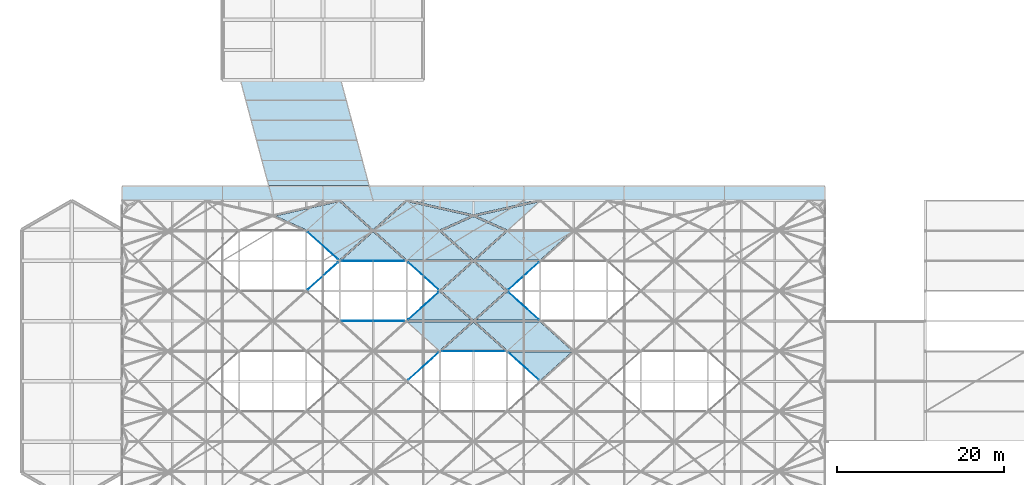
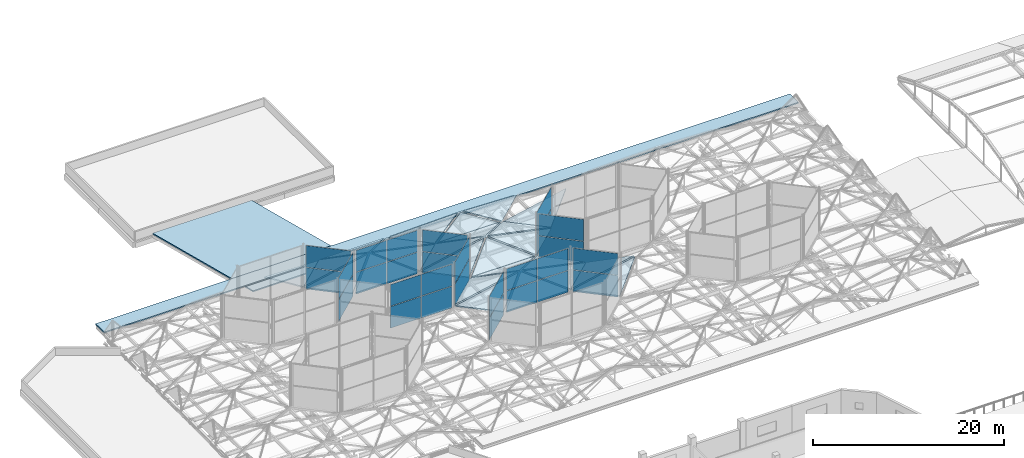
# One storey, part 214 of 239: 28 plates, 28 slabs, 11 elements without a shape of their own.
"""IFC4 building model written with IfcOpenShell, lengths in metres."""

import ifcopenshell
import ifcopenshell.guid

model = None  # the IFC model being written
_history = None  # IfcOwnerHistory: only IFC2X3 demands one
_inside = {}  # id of a spatial element -> (the spatial element, [elements in it])
_under = {}  # id of a project, library or spatial element -> (it, [spatial elements below it])
_declared = {}  # id of a project -> (the project, [libraries it declares])
_typed = {}  # id of a type object -> (the type object, [elements of that type])
_made_of = {}  # id of a material, layer set ... -> (it, [elements and type objects made of it])


def new_model(schema):
    """Start an empty IFC model of exactly this schema.

    Asked for "IFC4X3", IfcOpenShell would pick the latest addendum, in which some entities
    have other attributes; the version numbers below select the first issue.
    IFC2X3 requires an IfcOwnerHistory on every rooted entity: one is made here for all.
    """
    global model, _history
    if schema == "IFC4X3":
        model = ifcopenshell.file(schema_version=(4, 3, 0, 0))
    else:
        model = ifcopenshell.file(schema=schema)
    _inside.clear()
    _under.clear()
    _declared.clear()
    _typed.clear()
    _made_of.clear()
    _history = None
    if model.schema == "IFC2X3":
        org = make("IfcOrganization", Name="unknown")
        user = make(
            "IfcPersonAndOrganization",
            ThePerson=make("IfcPerson", FamilyName="unknown"),
            TheOrganization=org,
        )
        app = make(
            "IfcApplication",
            ApplicationDeveloper=org,
            Version="unknown",
            ApplicationFullName="unknown",
            ApplicationIdentifier="unknown",
        )
        _history = make(
            "IfcOwnerHistory",
            OwningUser=user,
            OwningApplication=app,
            ChangeAction="ADDED",
            CreationDate=0,
        )
    return model


def make(cls, **values):
    """One entity of the class cls with the attributes given. An attribute that is None is left unset."""
    return model.create_entity(
        cls, **{name: value for name, value in values.items() if value is not None}
    )


def rooted(cls, **values):
    """An entity with a GlobalId (a new one), such as an element, a storey or a relation."""
    return make(cls, GlobalId=ifcopenshell.guid.new(), OwnerHistory=_history, **values)


def si_unit(unit_type, name, prefix=None):
    """IfcSIUnit, for example si_unit("LENGTHUNIT", "METRE", prefix="MILLI")."""
    return make("IfcSIUnit", UnitType=unit_type, Prefix=prefix, Name=name)


def assignment(units):
    """IfcUnitAssignment: the units of a project."""
    return None if units is None else make("IfcUnitAssignment", Units=units)


def point(xyz):
    """IfcCartesianPoint."""
    return None if xyz is None else make("IfcCartesianPoint", Coordinates=xyz)


def direction(xyz):
    """IfcDirection."""
    return None if xyz is None else make("IfcDirection", DirectionRatios=xyz)


def frame(location, z_axis=None, x_axis=None):
    """IfcAxis2Placement3D, a coordinate frame: its origin and axes. An axis left out is left unset."""
    return make(
        "IfcAxis2Placement3D",
        Location=point(location),
        Axis=direction(z_axis),
        RefDirection=direction(x_axis),
    )


def frame_2d(location, x_axis=None):
    """IfcAxis2Placement2D, a coordinate frame in the plane: its origin and x axis."""
    return make(
        "IfcAxis2Placement2D", Location=point(location), RefDirection=direction(x_axis)
    )


def origin():
    """The frame at (0, 0, 0) with its axes left unset."""
    return frame((0.0, 0.0, 0.0))


def origin_2d():
    """The frame at (0, 0) in the plane with its x axis left unset."""
    return frame_2d((0.0, 0.0))


def place(relative_to, where):
    """IfcLocalPlacement: puts the frame where relative to a parent placement (None: the world)."""
    return make(
        "IfcLocalPlacement", PlacementRelTo=relative_to, RelativePlacement=where
    )


def context(
    kind, dimensions, precision=None, world=None, true_north=None, identifier=None
):
    """IfcGeometricRepresentationContext, for example the 3D "Model" context."""
    return make(
        "IfcGeometricRepresentationContext",
        ContextIdentifier=identifier,
        ContextType=kind,
        CoordinateSpaceDimension=dimensions,
        Precision=precision,
        WorldCoordinateSystem=world,
        TrueNorth=true_north,
    )


def subcontext(parent, identifier, kind, view, scale=None):
    """IfcGeometricRepresentationSubContext, for example "Body" below "Model"."""
    return make(
        "IfcGeometricRepresentationSubContext",
        ContextIdentifier=identifier,
        ContextType=kind,
        ParentContext=parent,
        TargetScale=scale,
        TargetView=view,
    )


def project(units=None, contexts=None):
    """IfcProject with its units and contexts."""
    return rooted(
        "IfcProject",
        Name="project",
        RepresentationContexts=contexts,
        UnitsInContext=assignment(units),
    )


def spatial(cls, under=None, at=None, **own):
    """A site, building, storey or space (cls), placed at a placement, below another one or the project."""
    s = rooted(cls, ObjectPlacement=at, **own)
    if under is not None:
        _under.setdefault(under.id(), (under, []))[1].append(s)
    return s


def polyline(points):
    """IfcPolyline through the points."""
    return make("IfcPolyline", Points=[point(p) for p in points])


def profile(cls, at=None, kind="AREA", **sizes):
    """A parametric profile (cls). Its sizes go by their IFC names, for example OverallWidth=200.0."""
    return make(cls, ProfileType=kind, Position=at, **sizes)


def rectangle(**sizes):
    """IfcRectangleProfileDef."""
    return profile("IfcRectangleProfileDef", **sizes)


def outline(outer, holes=None, kind="AREA"):
    """IfcArbitraryClosedProfileDef: a profile drawn as a closed curve; with holes, ...WithVoids."""
    if holes is None:
        return make("IfcArbitraryClosedProfileDef", ProfileType=kind, OuterCurve=outer)
    return make(
        "IfcArbitraryProfileDefWithVoids",
        ProfileType=kind,
        OuterCurve=outer,
        InnerCurves=holes,
    )


def extrude(swept, where, along, depth):
    """IfcExtrudedAreaSolid: the profile swept, set in the frame where, extruded along a direction by depth."""
    return make(
        "IfcExtrudedAreaSolid",
        SweptArea=swept,
        Position=where,
        ExtrudedDirection=direction(along),
        Depth=depth,
    )


def shape(context_of_items, identifier, shape_type, items):
    """IfcShapeRepresentation: the items that make up one representation, for example the "Body"."""
    return make(
        "IfcShapeRepresentation",
        ContextOfItems=context_of_items,
        RepresentationIdentifier=identifier,
        RepresentationType=shape_type,
        Items=items,
    )


def material(Name=None, Category=None):
    """IfcMaterial."""
    return make("IfcMaterial", Name=Name, Category=Category)


def layer(
    of_material, thickness, ventilated=None, Name=None, Category=None, Priority=None
):
    """IfcMaterialLayer: one layer of a wall or slab, of a material (None: an air gap)."""
    return make(
        "IfcMaterialLayer",
        Material=of_material,
        LayerThickness=thickness,
        IsVentilated=ventilated,
        Name=Name,
        Category=Category,
        Priority=Priority,
    )


def layer_set(layers, Name=None):
    """IfcMaterialLayerSet."""
    return make("IfcMaterialLayerSet", MaterialLayers=layers, LayerSetName=Name)


def made_of(thing, what):
    """Note that an element or type object is made of a material, layer set ...; save() writes the relation."""
    if what is not None:
        _made_of.setdefault(what.id(), (what, []))[1].append(thing)
    return thing


def type_object(cls, material=None, **own):
    """A type object (cls), such as IfcWallType, which elements share."""
    return made_of(rooted(cls, **own), material)


def element(
    cls,
    number,
    at=None,
    inside=None,
    cuts=None,
    type_object=None,
    material=None,
    context=None,
    identifier="Body",
    shape_type=None,
    held_by="IfcProductDefinitionShape",
    body=None,
    shapes=None,
    **own,
):
    """One element of the class cls, such as IfcWall. Its Tag is "e" and its number.

    at: its placement. inside: the storey or other place that contains it. cuts: it is an
    opening in that element (IfcRelVoidsElement). A single representation is given by context,
    identifier, shape_type and body (its items); several are given by shapes. held_by: the class
    of the entity that holds the representations. save() writes the other relations.
    """
    e = rooted(cls, Tag="e%d" % number, ObjectPlacement=at, **own)
    if body is not None:
        shapes = [shape(context, identifier, shape_type, body)]
    if shapes is not None:
        e.Representation = make(held_by, Representations=shapes)
    if inside is not None:
        _inside.setdefault(inside.id(), (inside, []))[1].append(e)
    if cuts is not None:
        rooted(
            "IfcRelVoidsElement", RelatingBuildingElement=cuts, RelatedOpeningElement=e
        )
    if type_object is not None:
        _typed.setdefault(type_object.id(), (type_object, []))[1].append(e)
    return made_of(e, material)


def aggregate(whole, parts):
    """IfcRelAggregates: a whole, such as a stair, and the parts it consists of."""
    return rooted("IfcRelAggregates", RelatingObject=whole, RelatedObjects=parts)


def save(model, path):
    """Write the relations noted so far, then the file.

    IfcRelAggregates (storeys below a building ...), IfcRelContainedInSpatialStructure (elements
    in a storey), IfcRelDefinesByType, IfcRelAssociatesMaterial and IfcRelDeclares: one each for
    every whole, place, type object, material and project.
    """
    for whole, parts in _under.values():
        aggregate(whole, parts)
    for where, things in _inside.values():
        rooted(
            "IfcRelContainedInSpatialStructure",
            RelatedElements=things,
            RelatingStructure=where,
        )
    for kind, things in _typed.values():
        rooted("IfcRelDefinesByType", RelatedObjects=things, RelatingType=kind)
    for what, things in _made_of.values():
        rooted("IfcRelAssociatesMaterial", RelatedObjects=things, RelatingMaterial=what)
    for by, libraries in _declared.values():
        rooted("IfcRelDeclares", RelatingContext=by, RelatedDefinitions=libraries)
    model.write(path)


model = new_model("IFC4")

# Units and contexts
model_context = context("Model", 3, precision=1e-05, world=origin(), true_north=direction((0.0, 1.0)))
body_context = subcontext(model_context, "Body", "Model", "MODEL_VIEW")
ifc_project = project(units=[si_unit("LENGTHUNIT", "METRE"), si_unit("AREAUNIT", "SQUARE_METRE"), si_unit("VOLUMEUNIT", "CUBIC_METRE"), si_unit("PLANEANGLEUNIT", "RADIAN"), si_unit("MASSUNIT", "GRAM", prefix="KILO")], contexts=[model_context])

# Site, building, storey
site_placement = place(None, origin())
site = spatial("IfcSite", under=ifc_project, at=site_placement, CompositionType="ELEMENT")
building_placement = place(site_placement, origin())
building = spatial("IfcBuilding", under=site, at=building_placement, Name="Dunvalen Ferry Terminal", CompositionType="ELEMENT")
storey_placement = place(building_placement, frame((0.0, 0.0, 9.840087890625)))
storey = spatial("IfcBuildingStorey", under=building, at=storey_placement, Name="L02", CompositionType="ELEMENT", Elevation=9.840087890625)

# Curtain wall, plates
ifc_material_1 = material(Name="Anodised marine aluminium and solar-control glazing", Category="aluminium")
ifc_layer_1 = layer(ifc_material_1, 0.179931640625, Name="Anodised marine aluminium and solar-control glazing")
ifc_layer_set_1 = layer_set([ifc_layer_1], Name="Anodised marine aluminium and solar-control glazing")
curtain_wall_type_1 = type_object("IfcCurtainWallType", Name="ENV-CW-SYS-05", PredefinedType="NOTDEFINED", material=ifc_layer_set_1)
curtain_wall_1_placement = place(storey_placement, origin())
curtain_wall_1 = element("IfcCurtainWall", 1, at=curtain_wall_1_placement, inside=storey, type_object=curtain_wall_type_1, Name="L02 Curtain Wall CW-HEX-16-SK-3", PredefinedType="NOTDEFINED")
ifc_material_2 = material(Name="Low-E solar-control laminated double glazing", Category="glass")
ifc_layer_2 = layer(ifc_material_2, 0.0400390625, Name="Low-E solar-control laminated double glazing")
ifc_layer_set_2 = layer_set([ifc_layer_2], Name="Low-E solar-control laminated double glazing")
plate_type = type_object("IfcPlateType", Name="ENV-CW-PNL-4", PredefinedType="CURTAIN_PANEL", material=ifc_layer_set_2)
plate_1_placement = place(storey_placement, frame((36.0, 77.39990234375, 1.19970703125), z_axis=(0.0, 0.0, 1.0), x_axis=(0.74330420875, 0.668953550894, 0.0)))
plate_1 = element("IfcPlate", 2, at=plate_1_placement, type_object=plate_type, Name="CW-05 panel 1.1", PredefinedType="CURTAIN_PANEL", context=body_context, shape_type="SweptSolid", body=[
    extrude(rectangle(XDim=4.821533203125, YDim=0.0400390625, at=origin_2d()), origin(), (0.0, 0.0, 1.0), 2.760009765625),
])
plate_2_placement = place(storey_placement, frame((36.0, 77.39990234375, 4.02001953125), z_axis=(0.0, 0.0, 1.0), x_axis=(0.74330420875, 0.668953550894, 0.0)))
plate_2 = element("IfcPlate", 3, at=plate_2_placement, type_object=plate_type, Name="CW-05 panel 1.2", PredefinedType="CURTAIN_PANEL", context=body_context, shape_type="SweptSolid", body=[
    extrude(rectangle(XDim=4.821533203125, YDim=0.0400390625, at=origin_2d()), origin(), (0.0, 0.0, 1.0), 2.760009765625),
])
aggregate(curtain_wall_1, [plate_1, plate_2])

ifc_layer_3 = layer(ifc_material_1, 0.179931640625, Name="Anodised marine aluminium and solar-control glazing")
ifc_layer_set_3 = layer_set([ifc_layer_3], Name="Anodised marine aluminium and solar-control glazing")
curtain_wall_type_2 = type_object("IfcCurtainWallType", Name="ENV-CW-SYS-06", PredefinedType="NOTDEFINED", material=ifc_layer_set_3)
curtain_wall_2_placement = place(storey_placement, origin())
curtain_wall_2 = element("IfcCurtainWall", 4, at=curtain_wall_2_placement, inside=storey, type_object=curtain_wall_type_2, Name="L02 Curtain Wall CW-HEX-16-SK-4", PredefinedType="NOTDEFINED")
plate_3_placement = place(storey_placement, frame((36.0, 81.0, 1.19970703125), z_axis=(0.0, 0.0, 1.0), x_axis=(-0.74330420875, 0.668953550894, 0.0)))
plate_3 = element("IfcPlate", 5, at=plate_3_placement, type_object=plate_type, Name="CW-06 panel 1.1", PredefinedType="CURTAIN_PANEL", context=body_context, shape_type="SweptSolid", body=[
    extrude(rectangle(XDim=4.821533203125, YDim=0.0400390625, at=origin_2d()), origin(), (0.0, 0.0, 1.0), 2.760009765625),
])
plate_4_placement = place(storey_placement, frame((36.0, 81.0, 4.02001953125), z_axis=(0.0, 0.0, 1.0), x_axis=(-0.74330420875, 0.668953550894, 0.0)))
plate_4 = element("IfcPlate", 6, at=plate_4_placement, type_object=plate_type, Name="CW-06 panel 1.2", PredefinedType="CURTAIN_PANEL", context=body_context, shape_type="SweptSolid", body=[
    extrude(rectangle(XDim=4.821533203125, YDim=0.0400390625, at=origin_2d()), origin(), (0.0, 0.0, 1.0), 2.760009765625),
])
aggregate(curtain_wall_2, [plate_3, plate_4])

curtain_wall_3_placement = place(storey_placement, origin())
curtain_wall_3 = element("IfcCurtainWall", 7, at=curtain_wall_3_placement, inside=storey, type_object=curtain_wall_type_2, Name="L02 Curtain Wall CW-HEX-21-SK-2", PredefinedType="NOTDEFINED")
plate_5_placement = place(storey_placement, frame((40.125, 72.0, 1.19970703125), z_axis=(0.0, 0.0, 1.0), x_axis=(1.0, 0.0, 0.0)))
plate_5 = element("IfcPlate", 8, at=plate_5_placement, type_object=plate_type, Name="CW-06 panel 1.1", PredefinedType="CURTAIN_PANEL", context=body_context, shape_type="SweptSolid", body=[
    extrude(rectangle(XDim=3.68994140625, YDim=0.0400390625, at=origin_2d()), origin(), (0.0, 0.0, 1.0), 2.760009765625),
])
plate_6_placement = place(storey_placement, frame((40.125, 72.0, 4.02001953125), z_axis=(0.0, 0.0, 1.0), x_axis=(1.0, 0.0, 0.0)))
plate_6 = element("IfcPlate", 9, at=plate_6_placement, type_object=plate_type, Name="CW-06 panel 1.2", PredefinedType="CURTAIN_PANEL", context=body_context, shape_type="SweptSolid", body=[
    extrude(rectangle(XDim=3.68994140625, YDim=0.0400390625, at=origin_2d()), origin(), (0.0, 0.0, 1.0), 2.760009765625),
])
plate_7_placement = place(storey_placement, frame((43.875, 72.0, 1.19970703125), z_axis=(0.0, 0.0, 1.0), x_axis=(1.0, 0.0, 0.0)))
plate_7 = element("IfcPlate", 10, at=plate_7_placement, type_object=plate_type, Name="CW-06 panel 2.1", PredefinedType="CURTAIN_PANEL", context=body_context, shape_type="SweptSolid", body=[
    extrude(rectangle(XDim=3.68994140625, YDim=0.0400390625, at=origin_2d()), origin(), (0.0, 0.0, 1.0), 2.760009765625),
])
plate_8_placement = place(storey_placement, frame((43.875, 72.0, 4.02001953125), z_axis=(0.0, 0.0, 1.0), x_axis=(1.0, 0.0, 0.0)))
plate_8 = element("IfcPlate", 11, at=plate_8_placement, type_object=plate_type, Name="CW-06 panel 2.2", PredefinedType="CURTAIN_PANEL", context=body_context, shape_type="SweptSolid", body=[
    extrude(rectangle(XDim=3.68994140625, YDim=0.0400390625, at=origin_2d()), origin(), (0.0, 0.0, 1.0), 2.760009765625),
])
aggregate(curtain_wall_3, [plate_5, plate_6, plate_7, plate_8])

curtain_wall_4_placement = place(storey_placement, origin())
curtain_wall_4 = element("IfcCurtainWall", 12, at=curtain_wall_4_placement, inside=storey, type_object=curtain_wall_type_1, Name="L02 Curtain Wall CW-HEX-21-SK-3", PredefinedType="NOTDEFINED")
plate_9_placement = place(storey_placement, frame((48.0, 73.800048828125, 1.19970703125), z_axis=(0.0, 0.0, 1.0), x_axis=(0.74330420875, 0.668953550894, 0.0)))
plate_9 = element("IfcPlate", 13, at=plate_9_placement, type_object=plate_type, Name="CW-05 panel 1.1", PredefinedType="CURTAIN_PANEL", context=body_context, shape_type="SweptSolid", body=[
    extrude(rectangle(XDim=4.821533203125, YDim=0.0400390625, at=origin_2d()), origin(), (0.0, 0.0, 1.0), 2.760009765625),
])
plate_10_placement = place(storey_placement, frame((48.0, 73.800048828125, 4.02001953125), z_axis=(0.0, 0.0, 1.0), x_axis=(0.74330420875, 0.668953550894, 0.0)))
plate_10 = element("IfcPlate", 14, at=plate_10_placement, type_object=plate_type, Name="CW-05 panel 1.2", PredefinedType="CURTAIN_PANEL", context=body_context, shape_type="SweptSolid", body=[
    extrude(rectangle(XDim=4.821533203125, YDim=0.0400390625, at=origin_2d()), origin(), (0.0, 0.0, 1.0), 2.760009765625),
])
aggregate(curtain_wall_4, [plate_9, plate_10])

curtain_wall_5_placement = place(storey_placement, origin())
curtain_wall_5 = element("IfcCurtainWall", 15, at=curtain_wall_5_placement, inside=storey, type_object=curtain_wall_type_2, Name="L02 Curtain Wall CW-HEX-21-SK-4", PredefinedType="NOTDEFINED")
plate_11_placement = place(storey_placement, frame((48.0, 77.39990234375, 1.19970703125), z_axis=(0.0, 0.0, 1.0), x_axis=(-0.74330420875, 0.668953550894, 0.0)))
plate_11 = element("IfcPlate", 16, at=plate_11_placement, type_object=plate_type, Name="CW-06 panel 1.1", PredefinedType="CURTAIN_PANEL", context=body_context, shape_type="SweptSolid", body=[
    extrude(rectangle(XDim=4.821533203125, YDim=0.0400390625, at=origin_2d()), origin(), (0.0, 0.0, 1.0), 2.760009765625),
])
plate_12_placement = place(storey_placement, frame((48.0, 77.39990234375, 4.02001953125), z_axis=(0.0, 0.0, 1.0), x_axis=(-0.74330420875, 0.668953550894, 0.0)))
plate_12 = element("IfcPlate", 17, at=plate_12_placement, type_object=plate_type, Name="CW-06 panel 1.2", PredefinedType="CURTAIN_PANEL", context=body_context, shape_type="SweptSolid", body=[
    extrude(rectangle(XDim=4.821533203125, YDim=0.0400390625, at=origin_2d()), origin(), (0.0, 0.0, 1.0), 2.760009765625),
])
aggregate(curtain_wall_5, [plate_11, plate_12])

curtain_wall_6_placement = place(storey_placement, origin())
curtain_wall_6 = element("IfcCurtainWall", 18, at=curtain_wall_6_placement, inside=storey, type_object=curtain_wall_type_1, Name="L02 Curtain Wall CW-HEX-21-SK-5", PredefinedType="NOTDEFINED")
plate_13_placement = place(storey_placement, frame((43.875, 79.199951171875, 1.19970703125), z_axis=(0.0, 0.0, 1.0), x_axis=(-1.0, 0.0, 0.0)))
plate_13 = element("IfcPlate", 19, at=plate_13_placement, type_object=plate_type, Name="CW-05 panel 1.1", PredefinedType="CURTAIN_PANEL", context=body_context, shape_type="SweptSolid", body=[
    extrude(rectangle(XDim=3.68994140625, YDim=0.0400390625, at=origin_2d()), origin(), (0.0, 0.0, 1.0), 2.760009765625),
])
plate_14_placement = place(storey_placement, frame((43.875, 79.199951171875, 4.02001953125), z_axis=(0.0, 0.0, 1.0), x_axis=(-1.0, 0.0, 0.0)))
plate_14 = element("IfcPlate", 20, at=plate_14_placement, type_object=plate_type, Name="CW-05 panel 1.2", PredefinedType="CURTAIN_PANEL", context=body_context, shape_type="SweptSolid", body=[
    extrude(rectangle(XDim=3.68994140625, YDim=0.0400390625, at=origin_2d()), origin(), (0.0, 0.0, 1.0), 2.760009765625),
])
plate_15_placement = place(storey_placement, frame((40.125, 79.199951171875, 1.19970703125), z_axis=(0.0, 0.0, 1.0), x_axis=(-1.0, 0.0, 0.0)))
plate_15 = element("IfcPlate", 21, at=plate_15_placement, type_object=plate_type, Name="CW-05 panel 2.1", PredefinedType="CURTAIN_PANEL", context=body_context, shape_type="SweptSolid", body=[
    extrude(rectangle(XDim=3.68994140625, YDim=0.0400390625, at=origin_2d()), origin(), (0.0, 0.0, 1.0), 2.760009765625),
])
plate_16_placement = place(storey_placement, frame((40.125, 79.199951171875, 4.02001953125), z_axis=(0.0, 0.0, 1.0), x_axis=(-1.0, 0.0, 0.0)))
plate_16 = element("IfcPlate", 22, at=plate_16_placement, type_object=plate_type, Name="CW-05 panel 2.2", PredefinedType="CURTAIN_PANEL", context=body_context, shape_type="SweptSolid", body=[
    extrude(rectangle(XDim=3.68994140625, YDim=0.0400390625, at=origin_2d()), origin(), (0.0, 0.0, 1.0), 2.760009765625),
])
aggregate(curtain_wall_6, [plate_13, plate_14, plate_15, plate_16])

curtain_wall_7_placement = place(storey_placement, origin())
curtain_wall_7 = element("IfcCurtainWall", 23, at=curtain_wall_7_placement, inside=storey, type_object=curtain_wall_type_2, Name="L02 Curtain Wall CW-HEX-25-SK-4", PredefinedType="NOTDEFINED")
plate_17_placement = place(storey_placement, frame((60.0, 66.60009765625, 1.19970703125), z_axis=(0.0, 0.0, 1.0), x_axis=(-0.74330420875, 0.668953550894, 0.0)))
plate_17 = element("IfcPlate", 24, at=plate_17_placement, type_object=plate_type, Name="CW-06 panel 1.1", PredefinedType="CURTAIN_PANEL", context=body_context, shape_type="SweptSolid", body=[
    extrude(rectangle(XDim=4.821533203125, YDim=0.0400390625, at=origin_2d()), origin(), (0.0, 0.0, 1.0), 2.760009765625),
])
plate_18_placement = place(storey_placement, frame((60.0, 66.60009765625, 4.02001953125), z_axis=(0.0, 0.0, 1.0), x_axis=(-0.74330420875, 0.668953550894, 0.0)))
plate_18 = element("IfcPlate", 25, at=plate_18_placement, type_object=plate_type, Name="CW-06 panel 1.2", PredefinedType="CURTAIN_PANEL", context=body_context, shape_type="SweptSolid", body=[
    extrude(rectangle(XDim=4.821533203125, YDim=0.0400390625, at=origin_2d()), origin(), (0.0, 0.0, 1.0), 2.760009765625),
])
aggregate(curtain_wall_7, [plate_17, plate_18])

curtain_wall_8_placement = place(storey_placement, origin())
curtain_wall_8 = element("IfcCurtainWall", 26, at=curtain_wall_8_placement, inside=storey, type_object=curtain_wall_type_1, Name="L02 Curtain Wall CW-HEX-25-SK-5", PredefinedType="NOTDEFINED")
plate_19_placement = place(storey_placement, frame((55.875, 68.39990234375, 1.19970703125), z_axis=(0.0, 0.0, 1.0), x_axis=(-1.0, 0.0, 0.0)))
plate_19 = element("IfcPlate", 27, at=plate_19_placement, type_object=plate_type, Name="CW-05 panel 1.1", PredefinedType="CURTAIN_PANEL", context=body_context, shape_type="SweptSolid", body=[
    extrude(rectangle(XDim=3.68994140625, YDim=0.0400390625, at=origin_2d()), origin(), (0.0, 0.0, 1.0), 2.760009765625),
])
plate_20_placement = place(storey_placement, frame((55.875, 68.39990234375, 4.02001953125), z_axis=(0.0, 0.0, 1.0), x_axis=(-1.0, 0.0, 0.0)))
plate_20 = element("IfcPlate", 28, at=plate_20_placement, type_object=plate_type, Name="CW-05 panel 1.2", PredefinedType="CURTAIN_PANEL", context=body_context, shape_type="SweptSolid", body=[
    extrude(rectangle(XDim=3.68994140625, YDim=0.0400390625, at=origin_2d()), origin(), (0.0, 0.0, 1.0), 2.760009765625),
])
plate_21_placement = place(storey_placement, frame((52.125, 68.39990234375, 1.19970703125), z_axis=(0.0, 0.0, 1.0), x_axis=(-1.0, 0.0, 0.0)))
plate_21 = element("IfcPlate", 29, at=plate_21_placement, type_object=plate_type, Name="CW-05 panel 2.1", PredefinedType="CURTAIN_PANEL", context=body_context, shape_type="SweptSolid", body=[
    extrude(rectangle(XDim=3.68994140625, YDim=0.0400390625, at=origin_2d()), origin(), (0.0, 0.0, 1.0), 2.760009765625),
])
plate_22_placement = place(storey_placement, frame((52.125, 68.39990234375, 4.02001953125), z_axis=(0.0, 0.0, 1.0), x_axis=(-1.0, 0.0, 0.0)))
plate_22 = element("IfcPlate", 30, at=plate_22_placement, type_object=plate_type, Name="CW-05 panel 2.2", PredefinedType="CURTAIN_PANEL", context=body_context, shape_type="SweptSolid", body=[
    extrude(rectangle(XDim=3.68994140625, YDim=0.0400390625, at=origin_2d()), origin(), (0.0, 0.0, 1.0), 2.760009765625),
])
aggregate(curtain_wall_8, [plate_19, plate_20, plate_21, plate_22])

curtain_wall_9_placement = place(storey_placement, origin())
curtain_wall_9 = element("IfcCurtainWall", 31, at=curtain_wall_9_placement, inside=storey, type_object=curtain_wall_type_2, Name="L02 Curtain Wall CW-HEX-25-SK-6", PredefinedType="NOTDEFINED")
plate_23_placement = place(storey_placement, frame((48.0, 66.60009765625, 1.19970703125), z_axis=(0.0, 0.0, 1.0), x_axis=(-0.74330420875, -0.668953550894, 0.0)))
plate_23 = element("IfcPlate", 32, at=plate_23_placement, type_object=plate_type, Name="CW-06 panel 1.1", PredefinedType="CURTAIN_PANEL", context=body_context, shape_type="SweptSolid", body=[
    extrude(rectangle(XDim=4.821533203125, YDim=0.0400390625, at=origin_2d()), origin(), (0.0, 0.0, 1.0), 2.760009765625),
])
plate_24_placement = place(storey_placement, frame((48.0, 66.60009765625, 4.02001953125), z_axis=(0.0, 0.0, 1.0), x_axis=(-0.74330420875, -0.668953550894, 0.0)))
plate_24 = element("IfcPlate", 33, at=plate_24_placement, type_object=plate_type, Name="CW-06 panel 1.2", PredefinedType="CURTAIN_PANEL", context=body_context, shape_type="SweptSolid", body=[
    extrude(rectangle(XDim=4.821533203125, YDim=0.0400390625, at=origin_2d()), origin(), (0.0, 0.0, 1.0), 2.760009765625),
])
aggregate(curtain_wall_9, [plate_23, plate_24])

curtain_wall_10_placement = place(storey_placement, origin())
curtain_wall_10 = element("IfcCurtainWall", 34, at=curtain_wall_10_placement, inside=storey, type_object=curtain_wall_type_1, Name="L02 Curtain Wall CW-HEX-32-SK-1", PredefinedType="NOTDEFINED")
plate_25_placement = place(storey_placement, frame((60.0, 73.800048828125, 1.19970703125), z_axis=(0.0, 0.0, 1.0), x_axis=(0.74330420875, -0.668953550894, 0.0)))
plate_25 = element("IfcPlate", 35, at=plate_25_placement, type_object=plate_type, Name="CW-05 panel 1.1", PredefinedType="CURTAIN_PANEL", context=body_context, shape_type="SweptSolid", body=[
    extrude(rectangle(XDim=4.821533203125, YDim=0.0400390625, at=origin_2d()), origin(), (0.0, 0.0, 1.0), 2.760009765625),
])
plate_26_placement = place(storey_placement, frame((60.0, 73.800048828125, 4.02001953125), z_axis=(0.0, 0.0, 1.0), x_axis=(0.74330420875, -0.668953550894, 0.0)))
plate_26 = element("IfcPlate", 36, at=plate_26_placement, type_object=plate_type, Name="CW-05 panel 1.2", PredefinedType="CURTAIN_PANEL", context=body_context, shape_type="SweptSolid", body=[
    extrude(rectangle(XDim=4.821533203125, YDim=0.0400390625, at=origin_2d()), origin(), (0.0, 0.0, 1.0), 2.760009765625),
])
aggregate(curtain_wall_10, [plate_25, plate_26])

curtain_wall_11_placement = place(storey_placement, origin())
curtain_wall_11 = element("IfcCurtainWall", 37, at=curtain_wall_11_placement, inside=storey, type_object=curtain_wall_type_2, Name="L02 Curtain Wall CW-HEX-32-SK-6", PredefinedType="NOTDEFINED")
plate_27_placement = place(storey_placement, frame((60.0, 77.39990234375, 1.19970703125), z_axis=(0.0, 0.0, 1.0), x_axis=(-0.74330420875, -0.668953550894, 0.0)))
plate_27 = element("IfcPlate", 38, at=plate_27_placement, type_object=plate_type, Name="CW-06 panel 1.1", PredefinedType="CURTAIN_PANEL", context=body_context, shape_type="SweptSolid", body=[
    extrude(rectangle(XDim=4.821533203125, YDim=0.0400390625, at=origin_2d()), origin(), (0.0, 0.0, 1.0), 2.760009765625),
])
plate_28_placement = place(storey_placement, frame((60.0, 77.39990234375, 4.02001953125), z_axis=(0.0, 0.0, 1.0), x_axis=(-0.74330420875, -0.668953550894, 0.0)))
plate_28 = element("IfcPlate", 39, at=plate_28_placement, type_object=plate_type, Name="CW-06 panel 1.2", PredefinedType="CURTAIN_PANEL", context=body_context, shape_type="SweptSolid", body=[
    extrude(rectangle(XDim=4.821533203125, YDim=0.0400390625, at=origin_2d()), origin(), (0.0, 0.0, 1.0), 2.760009765625),
])
aggregate(curtain_wall_11, [plate_27, plate_28])

# Slabs
ifc_material_3 = material(Name="Precast concrete C40/50 - Atlantic Blue Marine Enamel", Category="concrete")
ifc_layer_4 = layer(ifc_material_3, 0.18994140625, Name="Precast concrete C40/50 - Atlantic Blue Marine Enamel")
ifc_layer_set_4 = layer_set([ifc_layer_4], Name="Precast concrete C40/50 - Atlantic Blue Marine Enamel")
slab_type_1 = type_object("IfcSlabType", Name="STR-ROOF-HEX-ATLANTIC", PredefinedType="ROOF", material=ifc_layer_set_4)
slab_1_placement = place(storey_placement, frame((46.117919921875, 71.89404296875, 1.406982421875), z_axis=(-0.200317741298, -0.222548281592, 0.954120047416), x_axis=(0.743253811371, -0.669009545434, 0.0)))
element("IfcSlab", 40, at=slab_1_placement, inside=storey, type_object=slab_type_1, Name="HEX-26 Sea-Roof Pyramid Facet 1", PredefinedType="ROOF", context=body_context, shape_type="SweptSolid", body=[
    extrude(outline(polyline([(0.0, 0.0), (5.116661976626771, 4.440892098500626e-16), (5.653338011050778, 5.33331335219247), (0.0, 0.0)])), origin(), (0.0, 0.0, -1.0), 0.18994140625),
])
slab_2_placement = place(storey_placement, frame((50.157958984375, 68.39990234375, 1.406982421875), z_axis=(0.0, -0.422832911751, 0.906207663144), x_axis=(1.0, 0.0, 0.0)))
element("IfcSlab", 41, at=slab_2_placement, inside=storey, type_object=slab_type_1, Name="HEX-26 Sea-Roof Pyramid Facet 2", PredefinedType="ROOF", context=body_context, shape_type="SweptSolid", body=[
    extrude(outline(polyline([(0.0, 0.0), (7.68408203125, 0.0), (3.842041015625, 3.8148333881963206), (0.0, 0.0)])), origin(), (0.0, 0.0, -1.0), 0.18994140625),
])
slab_3_placement = place(storey_placement, frame((58.0791015625, 68.470947265625, 1.406982421875), z_axis=(0.200317741298, -0.222548281592, 0.954120047416), x_axis=(0.743253811371, 0.669009545434, 0.0)))
element("IfcSlab", 42, at=slab_3_placement, inside=storey, type_object=slab_type_1, Name="HEX-26 Sea-Roof Pyramid Facet 3", PredefinedType="ROOF", context=body_context, shape_type="SweptSolid", body=[
    extrude(outline(polyline([(0.0, 0.0), (5.116661976626771, -4.440892098500626e-16), (-0.5366760344240071, 5.333313352192469), (0.0, 0.0)])), origin(), (0.0, 0.0, -1.0), 0.18994140625),
])
slab_4_placement = place(storey_placement, frame((61.882080078125, 72.10595703125, 1.406982421875), z_axis=(0.200317741298, 0.222548281592, 0.954120047416), x_axis=(-0.743253811371, 0.669009545434, 0.0)))
element("IfcSlab", 43, at=slab_4_placement, inside=storey, type_object=slab_type_1, Name="HEX-26 Sea-Roof Pyramid Facet 4", PredefinedType="ROOF", context=body_context, shape_type="SweptSolid", body=[
    extrude(outline(polyline([(0.0, 0.0), (5.116661976626771, 4.440892098500626e-16), (5.653338011050778, 5.33331335219247), (0.0, 0.0)])), origin(), (0.0, 0.0, -1.0), 0.18994140625),
])
slab_5_placement = place(storey_placement, frame((57.842041015625, 75.60009765625, 1.406982421875), z_axis=(0.0, 0.422832911751, 0.906207663144), x_axis=(-1.0, 0.0, 0.0)))
element("IfcSlab", 44, at=slab_5_placement, inside=storey, type_object=slab_type_1, Name="HEX-26 Sea-Roof Pyramid Facet 5", PredefinedType="ROOF", context=body_context, shape_type="SweptSolid", body=[
    extrude(outline(polyline([(0.0, 0.0), (7.68408203125, 0.0), (3.842041015625, 3.8148333881963206), (0.0, 0.0)])), origin(), (0.0, 0.0, -1.0), 0.18994140625),
])
slab_6_placement = place(storey_placement, frame((49.9208984375, 75.529052734375, 1.406982421875), z_axis=(-0.200317741298, 0.222548281592, 0.954120047416), x_axis=(-0.743253811371, -0.669009545434, 0.0)))
element("IfcSlab", 45, at=slab_6_placement, inside=storey, type_object=slab_type_1, Name="HEX-26 Sea-Roof Pyramid Facet 6", PredefinedType="ROOF", context=body_context, shape_type="SweptSolid", body=[
    extrude(outline(polyline([(0.0, 0.0), (5.116661976626771, -4.440892098500626e-16), (-0.5366760344240071, 5.333313352192469), (0.0, 0.0)])), origin(), (0.0, 0.0, -1.0), 0.18994140625),
])
slab_7_placement = place(storey_placement, frame((58.117919921875, 68.2939453125, 1.406982421875), z_axis=(-0.200317033625, -0.222563368957, 0.954116676743), x_axis=(0.743277537566, -0.668983185252, 0.0)))
element("IfcSlab", 46, at=slab_7_placement, inside=storey, type_object=slab_type_1, Name="HEX-31 Sea-Roof Pyramid Facet 1", PredefinedType="ROOF", context=body_context, shape_type="SweptSolid", body=[
    extrude(outline(polyline([(0.0, 0.0), (5.116498647435961, 0.0), (5.65351847726143, 5.333122050650035), (0.0, 0.0)])), origin(), (0.0, 0.0, -1.0), 0.18994140625),
])
slab_8_placement = place(storey_placement, frame((61.9208984375, 71.928955078125, 1.406982421875), z_axis=(-0.200317033625, 0.222563368957, 0.954116676743), x_axis=(-0.743277537566, -0.668983185252, 0.0)))
element("IfcSlab", 47, at=slab_8_placement, inside=storey, type_object=slab_type_1, Name="HEX-31 Sea-Roof Pyramid Facet 6", PredefinedType="ROOF", context=body_context, shape_type="SweptSolid", body=[
    extrude(outline(polyline([(0.0, 0.0), (5.116498647435961, 0.0), (-0.5370198298254691, 5.333122050650035), (0.0, 0.0)])), origin(), (0.0, 0.0, -1.0), 0.18994140625),
])
ifc_material_4 = material(Name="Precast concrete C40/50 - Deep Navy Marine Enamel", Category="concrete")
ifc_layer_5 = layer(ifc_material_4, 0.2099609375, Name="Precast concrete C40/50 - Deep Navy Marine Enamel")
ifc_layer_set_5 = layer_set([ifc_layer_5], Name="Precast concrete C40/50 - Deep Navy Marine Enamel")
slab_type_2 = type_object("IfcSlabType", Name="STR-ROOF-HEX-NAVY", PredefinedType="ROOF", material=ifc_layer_set_5)
slab_9_placement = place(storey_placement, frame((46.117919921875, 79.093994140625, 1.427001953125), z_axis=(-0.200317741298, -0.222548281592, 0.954120047416), x_axis=(0.743253811371, -0.669009545434, 0.0)))
element("IfcSlab", 48, at=slab_9_placement, inside=storey, type_object=slab_type_2, Name="HEX-27 Sea-Roof Pyramid Facet 1", PredefinedType="ROOF", context=body_context, shape_type="SweptSolid", body=[
    extrude(outline(polyline([(0.0, 0.0), (5.116661976626771, 4.440892098500626e-16), (5.653338011050778, 5.33331335219247), (0.0, 0.0)])), origin(), (0.0, 0.0, -1.0), 0.2099609375),
])
slab_10_placement = place(storey_placement, frame((50.157958984375, 75.60009765625, 1.427001953125), z_axis=(0.0, -0.422804875738, 0.906220744108), x_axis=(1.0, 0.0, 0.0)))
element("IfcSlab", 49, at=slab_10_placement, inside=storey, type_object=slab_type_2, Name="HEX-27 Sea-Roof Pyramid Facet 2", PredefinedType="ROOF", context=body_context, shape_type="SweptSolid", body=[
    extrude(outline(polyline([(0.0, 0.0), (7.68408203125, 0.0), (3.842041015625, 3.814508917225205), (0.0, 0.0)])), origin(), (0.0, 0.0, -1.0), 0.2099609375),
])
slab_11_placement = place(storey_placement, frame((58.0791015625, 75.6708984375, 1.427001953125), z_axis=(0.200317741298, -0.222548281592, 0.954120047416), x_axis=(0.743253811371, 0.669009545434, 0.0)))
element("IfcSlab", 50, at=slab_11_placement, inside=storey, type_object=slab_type_2, Name="HEX-27 Sea-Roof Pyramid Facet 3", PredefinedType="ROOF", context=body_context, shape_type="SweptSolid", body=[
    extrude(outline(polyline([(0.0, 0.0), (5.116661976626771, -4.440892098500626e-16), (-0.5366760344240071, 5.333313352192469), (0.0, 0.0)])), origin(), (0.0, 0.0, -1.0), 0.2099609375),
])
slab_12_placement = place(storey_placement, frame((61.882080078125, 79.305908203125, 1.427001953125), z_axis=(0.200317741298, 0.222548281592, 0.954120047416), x_axis=(-0.743253811371, 0.669009545434, 0.0)))
element("IfcSlab", 51, at=slab_12_placement, inside=storey, type_object=slab_type_2, Name="HEX-27 Sea-Roof Pyramid Facet 4", PredefinedType="ROOF", context=body_context, shape_type="SweptSolid", body=[
    extrude(outline(polyline([(0.0, 0.0), (5.116661976626771, 4.440892098500626e-16), (5.653338011050778, 5.33331335219247), (0.0, 0.0)])), origin(), (0.0, 0.0, -1.0), 0.2099609375),
])
slab_13_placement = place(storey_placement, frame((57.842041015625, 82.800048828125, 1.427001953125), z_axis=(0.0, 0.422780353904, 0.906232184571), x_axis=(-1.0, 0.0, 0.0)))
element("IfcSlab", 52, at=slab_13_placement, inside=storey, type_object=slab_type_2, Name="HEX-27 Sea-Roof Pyramid Facet 5", PredefinedType="ROOF", context=body_context, shape_type="SweptSolid", body=[
    extrude(outline(polyline([(0.0, 0.0), (7.68408203125, 0.0), (3.842041015625, 3.814730163920641), (0.0, 0.0)])), origin(), (0.0, 0.0, -1.0), 0.2099609375),
])
slab_14_placement = place(storey_placement, frame((49.9208984375, 82.72900390625, 1.427001953125), z_axis=(-0.200317741298, 0.222548281592, 0.954120047416), x_axis=(-0.743253811371, -0.669009545434, 0.0)))
element("IfcSlab", 53, at=slab_14_placement, inside=storey, type_object=slab_type_2, Name="HEX-27 Sea-Roof Pyramid Facet 6", PredefinedType="ROOF", context=body_context, shape_type="SweptSolid", body=[
    extrude(outline(polyline([(0.0, 0.0), (5.116661976626771, -4.440892098500626e-16), (-0.5366760344240071, 5.333313352192469), (0.0, 0.0)])), origin(), (0.0, 0.0, -1.0), 0.2099609375),
])
slab_15_placement = place(storey_placement, frame((58.117919921875, 82.694091796875, 1.427001953125), z_axis=(-0.200317741298, -0.222548281592, 0.954120047416), x_axis=(0.743253811371, -0.669009545434, 0.0)))
element("IfcSlab", 54, at=slab_15_placement, inside=storey, type_object=slab_type_2, Name="HEX-33 Sea-Roof Pyramid Facet 1", PredefinedType="ROOF", context=body_context, shape_type="SweptSolid", body=[
    extrude(outline(polyline([(0.0, 0.0), (5.116661976626771, 4.440892098500626e-16), (5.653338011050778, 5.33331335219247), (0.0, 0.0)])), origin(), (0.0, 0.0, -1.0), 0.2099609375),
])
ifc_material_5 = material(Name="Precast concrete C40/50 - Pale Sea-Mist Marine Enamel", Category="concrete")
ifc_layer_6 = layer(ifc_material_5, 0.169921875, Name="Precast concrete C40/50 - Pale Sea-Mist Marine Enamel")
ifc_layer_set_6 = layer_set([ifc_layer_6], Name="Precast concrete C40/50 - Pale Sea-Mist Marine Enamel")
slab_type_3 = type_object("IfcSlabType", Name="STR-ROOF-HEX-SEAMIST", PredefinedType="ROOF", material=ifc_layer_set_6)
slab_16_placement = place(storey_placement, frame((34.0859375, 82.876953125, 1.386962890625), z_axis=(0.258241324368, -0.28692858337, 0.92248761858), x_axis=(0.74328693375, 0.668972745421, 0.0)))
element("IfcSlab", 55, at=slab_16_placement, inside=storey, type_object=slab_type_3, Name="HEX-17 Sea-Roof Pyramid Facet 3", PredefinedType="ROOF", context=body_context, shape_type="SweptSolid", body=[
    extrude(outline(polyline([(0.0, 0.0), (5.049427963424799, 0.0), (-1.659632151557125, 4.082432219674014), (0.0, 0.0)])), origin(), (0.0, 0.0, -1.0), 0.169921875),
])
slab_17_placement = place(storey_placement, frame((34.117919921875, 82.694091796875, 1.386962890625), z_axis=(-0.200317741298, -0.222548281592, 0.954120047416), x_axis=(0.743253811371, -0.669009545434, 0.0)))
element("IfcSlab", 56, at=slab_17_placement, inside=storey, type_object=slab_type_3, Name="HEX-22 Sea-Roof Pyramid Facet 1", PredefinedType="ROOF", context=body_context, shape_type="SweptSolid", body=[
    extrude(outline(polyline([(0.0, 0.0), (5.116661976626771, 4.440892098500626e-16), (5.653338011050778, 5.33331335219247), (0.0, 0.0)])), origin(), (0.0, 0.0, -1.0), 0.169921875),
])
slab_18_placement = place(storey_placement, frame((38.157958984375, 79.199951171875, 1.386962890625), z_axis=(0.0, -0.422832911751, 0.906207663144), x_axis=(1.0, 0.0, 0.0)))
element("IfcSlab", 57, at=slab_18_placement, inside=storey, type_object=slab_type_3, Name="HEX-22 Sea-Roof Pyramid Facet 2", PredefinedType="ROOF", context=body_context, shape_type="SweptSolid", body=[
    extrude(outline(polyline([(0.0, 0.0), (7.68408203125, 0.0), (3.842041015625, 3.8148333881963206), (0.0, 0.0)])), origin(), (0.0, 0.0, -1.0), 0.169921875),
])
slab_19_placement = place(storey_placement, frame((46.0791015625, 79.27099609375, 1.386962890625), z_axis=(0.200317741298, -0.222548281592, 0.954120047416), x_axis=(0.743253811371, 0.669009545434, 0.0)))
element("IfcSlab", 58, at=slab_19_placement, inside=storey, type_object=slab_type_3, Name="HEX-22 Sea-Roof Pyramid Facet 3", PredefinedType="ROOF", context=body_context, shape_type="SweptSolid", body=[
    extrude(outline(polyline([(0.0, 0.0), (5.116661976626771, -4.440892098500626e-16), (-0.5366760344240071, 5.333313352192469), (0.0, 0.0)])), origin(), (0.0, 0.0, -1.0), 0.169921875),
])
slab_20_placement = place(storey_placement, frame((49.882080078125, 82.906005859375, 1.386962890625), z_axis=(0.200317741298, 0.222548281592, 0.954120047416), x_axis=(-0.743253811371, 0.669009545434, 0.0)))
element("IfcSlab", 59, at=slab_20_placement, inside=storey, type_object=slab_type_3, Name="HEX-22 Sea-Roof Pyramid Facet 4", PredefinedType="ROOF", context=body_context, shape_type="SweptSolid", body=[
    extrude(outline(polyline([(0.0, 0.0), (5.116661976626771, 4.440892098500626e-16), (5.653338011050778, 5.33331335219247), (0.0, 0.0)])), origin(), (0.0, 0.0, -1.0), 0.169921875),
])
slab_21_placement = place(storey_placement, frame((45.842041015625, 86.39990234375, 1.386962890625), z_axis=(0.0, 0.422857435306, 0.906196220146), x_axis=(-1.0, 0.0, 0.0)))
element("IfcSlab", 60, at=slab_21_placement, inside=storey, type_object=slab_type_3, Name="HEX-22 Sea-Roof Pyramid Facet 5", PredefinedType="ROOF", context=body_context, shape_type="SweptSolid", body=[
    extrude(outline(polyline([(0.0, 0.0), (7.68408203125, 0.0), (3.842041015625, 3.8146121474878703), (0.0, 0.0)])), origin(), (0.0, 0.0, -1.0), 0.169921875),
])
slab_22_placement = place(storey_placement, frame((37.9208984375, 86.3291015625, 1.386962890625), z_axis=(-0.200317741298, 0.222548281592, 0.954120047416), x_axis=(-0.743253811371, -0.669009545434, 0.0)))
element("IfcSlab", 61, at=slab_22_placement, inside=storey, type_object=slab_type_3, Name="HEX-22 Sea-Roof Pyramid Facet 6", PredefinedType="ROOF", context=body_context, shape_type="SweptSolid", body=[
    extrude(outline(polyline([(0.0, 0.0), (5.116661976626771, -4.440892098500626e-16), (-0.5366760344240071, 5.333313352192469), (0.0, 0.0)])), origin(), (0.0, 0.0, -1.0), 0.169921875),
])
slab_23_placement = place(storey_placement, frame((46.160888671875, 86.2548828125, 1.386962890625), z_axis=(-0.258241324368, -0.28692858337, 0.92248761858), x_axis=(0.74328693375, -0.668972745421, 0.0)))
element("IfcSlab", 62, at=slab_23_placement, inside=storey, type_object=slab_type_3, Name="HEX-28 Sea-Roof Pyramid Facet 1", PredefinedType="ROOF", context=body_context, shape_type="SweptSolid", body=[
    extrude(outline(polyline([(0.0, 0.0), (5.049427963424799, 0.0), (6.7090601149819244, 4.082432219674015), (0.0, 0.0)])), origin(), (0.0, 0.0, -1.0), 0.169921875),
])
slab_24_placement = place(storey_placement, frame((50.258056640625, 82.800048828125, 1.386962890625), z_axis=(0.0, -0.682420198219, 0.730960103605), x_axis=(1.0, 0.0, 0.0)))
element("IfcSlab", 63, at=slab_24_placement, inside=storey, type_object=slab_type_3, Name="HEX-28 Sea-Roof Pyramid Facet 2", PredefinedType="ROOF", context=body_context, shape_type="SweptSolid", body=[
    extrude(outline(polyline([(0.0, 0.0), (7.48388671875, 0.0), (3.741943359375, 2.3035975319575743), (0.0, 0.0)])), origin(), (0.0, 0.0, -1.0), 0.169921875),
])
slab_25_placement = place(storey_placement, frame((58.0859375, 82.876953125, 1.386962890625), z_axis=(0.258241324368, -0.28692858337, 0.92248761858), x_axis=(0.74328693375, 0.668972745421, 0.0)))
element("IfcSlab", 64, at=slab_25_placement, inside=storey, type_object=slab_type_3, Name="HEX-28 Sea-Roof Pyramid Facet 3", PredefinedType="ROOF", context=body_context, shape_type="SweptSolid", body=[
    extrude(outline(polyline([(0.0, 0.0), (5.049427963424799, 0.0), (-1.659632151557125, 4.082432219674014), (0.0, 0.0)])), origin(), (0.0, 0.0, -1.0), 0.169921875),
])
slab_26_placement = place(storey_placement, frame((61.51708984375, 86.39990234375, 1.386962890625), z_axis=(0.0, 0.682472396449, 0.730911368146), x_axis=(-1.0, 0.0, 0.0)))
element("IfcSlab", 65, at=slab_26_placement, inside=storey, type_object=slab_type_3, Name="HEX-28 Sea-Roof Pyramid Facet 4", PredefinedType="ROOF", context=body_context, shape_type="SweptSolid", body=[
    extrude(outline(polyline([(0.0, 0.0), (15.0341796875, 0.0), (7.51708984375, 2.313437774320156), (0.0, 0.0)])), origin(), (0.0, 0.0, -1.0), 0.169921875),
])
ifc_material_6 = material(Name="Precast concrete C40/50", Category="concrete")
ifc_layer_7 = layer(ifc_material_6, 0.14990234375, Name="Precast concrete C40/50")
ifc_layer_set_7 = layer_set([ifc_layer_7], Name="Precast concrete C40/50")
slab_type_4 = type_object("IfcSlabType", Name="STR-ROOF-VAULT", PredefinedType="ROOF", material=ifc_layer_set_7)
slab_27_placement = place(storey_placement, frame((0.0, 0.0, 1.0)))
element("IfcSlab", 66, at=slab_27_placement, inside=storey, type_object=slab_type_4, Name="Departure Hall Thin Projecting North Eave Slab", PredefinedType="ROOF", context=body_context, shape_type="SweptSolid", body=[
    extrude(outline(polyline([(12.0, 86.419921875), (96.0, 86.419921875), (96.0, 88.199951171875), (12.0, 88.199951171875), (12.0, 86.419921875)])), origin(), (0.0, 0.0, 1.0), 0.14990234375),
])
slab_28_placement = place(storey_placement, origin())
element("IfcSlab", 67, at=slab_28_placement, inside=storey, type_object=slab_type_4, Name="L02 Splayed Passenger Boarding Bridge 1 Roof Slab", PredefinedType="ROOF", context=body_context, shape_type="SweptSolid", body=[
    extrude(outline(polyline([(30.0, 86.39990234375), (42.0, 86.39990234375), (38.1416015625, 100.800048828125), (26.1416015625, 100.800048828125), (30.0, 86.39990234375)])), origin(), (0.0, 0.0, 1.0), 0.14990234375),
])

save(model, "model.ifc")
